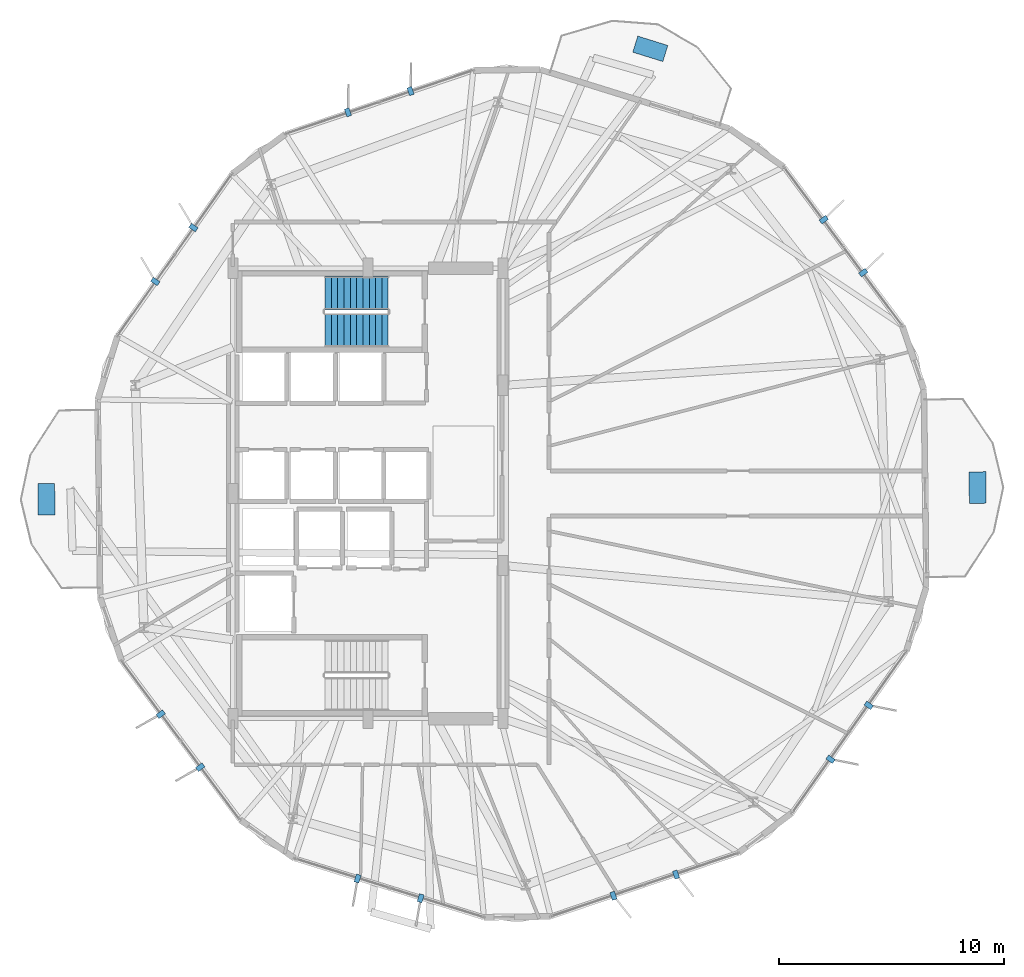
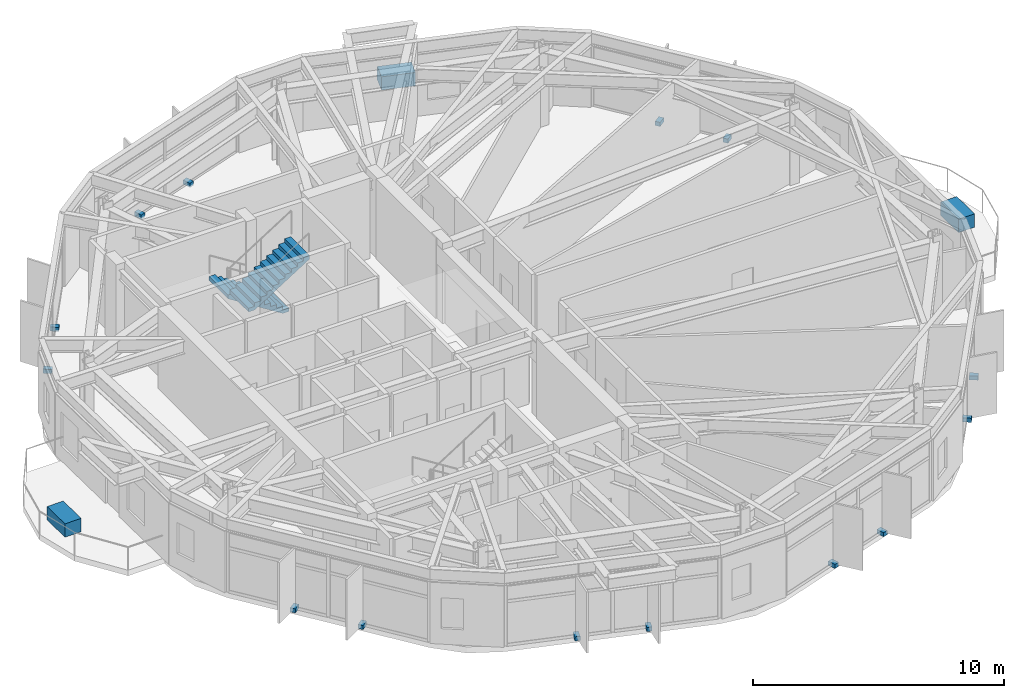
# One storey, part 22 of 25: 17 discrete accessories, 2 stair flights, 1 element without a shape of its own.
"""IFC4 building model written with IfcOpenShell, lengths in metres."""

from ifc_helpers import new_model, si_unit, direction, frame, origin, origin_2d, place, context, subcontext, project, spatial, polyline, rectangle, outline, extrude, material, layer, layer_set, type_object, element, aggregate, save


model = new_model("IFC4")

# Units and contexts
model_context = context("Model", 3, precision=1e-05, world=origin(), true_north=direction((0.0, 1.0)))
body_context = subcontext(model_context, "Body", "Model", "MODEL_VIEW")
ifc_project = project(units=[si_unit("LENGTHUNIT", "METRE"), si_unit("AREAUNIT", "SQUARE_METRE"), si_unit("VOLUMEUNIT", "CUBIC_METRE"), si_unit("PLANEANGLEUNIT", "RADIAN"), si_unit("MASSUNIT", "GRAM", prefix="KILO")], contexts=[model_context])

# Site, building, storey
site_placement = place(None, origin())
site = spatial("IfcSite", under=ifc_project, at=site_placement, CompositionType="ELEMENT")
building_placement = place(site_placement, origin())
building = spatial("IfcBuilding", under=site, at=building_placement, Name="Soratama Intermodal Tower", CompositionType="ELEMENT")
storey_placement = place(building_placement, frame((0.0, 0.0, 106.89990234375)))
storey = spatial("IfcBuildingStorey", under=building, at=storey_placement, Name="L25", CompositionType="ELEMENT", Elevation=106.89990234375)

# Stair, stair flights
ifc_material_1 = material(Name="Concrete f'c 42 MPa", Category="concrete")
stair_type = type_object("IfcStairType", Name="ST-CORE-DOGLEG", PredefinedType="HALF_TURN_STAIR", material=ifc_material_1)
stair_placement = place(storey_placement, origin())
stair = element("IfcStair", 1, at=stair_placement, inside=storey, type_object=stair_type, Name="L25 ST-2", PredefinedType="HALF_TURN_STAIR")
ifc_material_2 = material(Name="Precast concrete f'c 40 MPa", Category="concrete")
ifc_layer = layer(ifc_material_2, 0.199951171875)
ifc_layer_set = layer_set([ifc_layer], Name="Precast concrete f'c 40 MPa")
stair_flight_type = type_object("IfcStairFlightType", Name="SF-FLIGHT-RC", PredefinedType="STRAIGHT", material=ifc_layer_set)
stair_flight_1_placement = place(storey_placement, frame((39.5, 33.89990234375, 0.0), z_axis=(0.0, 0.0, 1.0), x_axis=(-1.0, 0.0, 0.0)))
stair_flight_1 = element("IfcStairFlight", 2, at=stair_flight_1_placement, type_object=stair_flight_type, Name="ST-2 flight 1", NumberOfRisers=11, NumberOfTreads=10, PredefinedType="STRAIGHT", RiserHeight=0.177272727, TreadLength=0.28, context=body_context, shape_type="SweptSolid", body=[
    extrude(outline(polyline([(0.0, 0.0), (0.0, 0.17724609375), (0.280029296875, 0.17724609375), (0.280029296875, 0.3544921875), (0.56005859375, 0.3544921875), (0.56005859375, 0.53173828125), (0.840087890625, 0.53173828125), (0.840087890625, 0.708984375), (1.1201171875, 0.708984375), (1.1201171875, 0.886474609375), (1.39990234375, 0.886474609375), (1.39990234375, 1.063720703125), (1.679931640625, 1.063720703125), (1.679931640625, 1.240966796875), (1.9599609375, 1.240966796875), (1.9599609375, 1.418212890625), (2.239990234375, 1.418212890625), (2.239990234375, 1.595458984375), (2.52001953125, 1.595458984375), (2.52001953125, 1.772705078125), (2.800048828125, 1.772705078125), (2.800048828125, 1.949951171875), (2.800048828125, 1.59521484375), (0.2802734375, 0.0), (0.0, 0.0)])), frame((0.0, 0.75, 0.0), z_axis=(0.0, -1.0, 0.0), x_axis=(1.0, 0.0, 0.0)), (0.0, 0.0, 1.0), 1.5),
])
stair_flight_2_placement = place(storey_placement, frame((36.699951171875, 32.25, 1.9501953125), z_axis=(0.0, 0.0, 1.0), x_axis=(1.0, 0.0, 0.0)))
stair_flight_2 = element("IfcStairFlight", 3, at=stair_flight_2_placement, type_object=stair_flight_type, Name="ST-2 flight 2", NumberOfRisers=11, NumberOfTreads=10, PredefinedType="STRAIGHT", RiserHeight=0.177272727, TreadLength=0.28, context=body_context, shape_type="SweptSolid", body=[
    extrude(outline(polyline([(0.0, 0.0), (0.0, 0.17724609375), (0.280029296875, 0.17724609375), (0.280029296875, 0.3544921875), (0.56005859375, 0.3544921875), (0.56005859375, 0.53173828125), (0.840087890625, 0.53173828125), (0.840087890625, 0.708984375), (1.1201171875, 0.708984375), (1.1201171875, 0.886474609375), (1.39990234375, 0.886474609375), (1.39990234375, 1.063720703125), (1.679931640625, 1.063720703125), (1.679931640625, 1.240966796875), (1.9599609375, 1.240966796875), (1.9599609375, 1.418212890625), (2.239990234375, 1.418212890625), (2.239990234375, 1.595458984375), (2.52001953125, 1.595458984375), (2.52001953125, 1.772705078125), (2.800048828125, 1.772705078125), (2.800048828125, 1.949951171875), (2.800048828125, 1.59521484375), (0.2802734375, 0.0), (0.0, 0.0)])), frame((0.0, 0.75, 0.0), z_axis=(0.0, -1.0, 0.0), x_axis=(1.0, 0.0, 0.0)), (0.0, 0.0, 1.0), 1.5),
])
aggregate(stair, [stair_flight_1, stair_flight_2])

# Discrete accessories
ifc_material_3 = material(Name="Structural steel ASTM A992 Grade 50", Category="steel")
discrete_accessory_type_1 = type_object("IfcDiscreteAccessoryType", Name="AC-FIN-BRACKET", PredefinedType="BRACKET", material=ifc_material_3)
for number, where, z_axis, x_axis, name in (
    (4, (60.60400390625, 34.80810546875, -0.080078125), (0.0, 0.0, 1.0), (0.801566984871, 0.597904983058, 0.0), "L25 Fin Bracket F01-1"),
    (5, (58.8486328125, 37.1611328125, -0.080078125), (0.0, 0.0, 1.0), (0.801566984871, 0.597904983058, 0.0), "L25 Fin Bracket F01-2"),
    (6, (40.493896484375, 42.87109375, -0.080078125), (0.0, 0.0, 1.0), (-0.320943609807, 0.947098304995, 0.0), "L25 Fin Bracket F03-1"),
    (7, (37.713623046875, 41.928955078125, -0.080078125), (0.0, 0.0, 1.0), (-0.320943609807, 0.947098304995, 0.0), "L25 Fin Bracket F03-2"),
    (8, (30.85009765625, 36.809326171875, -0.080078125), (0.0, 0.0, 1.0), (-0.816339250717, 0.577572703422, 0.0), "L25 Fin Bracket F04-1"),
    (9, (29.154541015625, 34.412841796875, -0.080078125), (0.0, 0.0, 1.0), (-0.816339250717, 0.577572703422, 0.0), "L25 Fin Bracket F04-2"),
    (10, (29.39599609375, 15.19189453125, -0.080078125), (0.0, 0.0, 1.0), (-0.801566984871, -0.597904983058, 0.0), "L25 Fin Bracket F06-1"),
    (11, (31.1513671875, 12.8388671875, -0.080078125), (0.0, 0.0, 1.0), (-0.801566984871, -0.597904983058, 0.0), "L25 Fin Bracket F06-2"),
    (12, (38.141357421875, 7.893310546875, -0.080078125), (0.0, 0.0, 1.0), (-0.297041581577, -0.954864544747, 0.0), "L25 Fin Bracket F07-1"),
    (13, (40.9443359375, 7.021484375, -0.080078125), (0.0, 0.0, 1.0), (-0.297041581577, -0.954864544747, 0.0), "L25 Fin Bracket F07-2"),
    (14, (49.506103515625, 7.12890625, -0.080078125), (0.0, 0.0, 1.0), (0.320943609807, -0.947098304995, 0.0), "L25 Fin Bracket F08-1"),
    (15, (52.286376953125, 8.071044921875, -0.080078125), (0.0, 0.0, 1.0), (0.320943609807, -0.947098304995, 0.0), "L25 Fin Bracket F08-2"),
    (16, (59.14990234375, 13.190673828125, -0.080078125), (0.0, 0.0, 1.0), (0.816339250717, -0.577572703422, 0.0), "L25 Fin Bracket F09-1"),
    (17, (60.845458984375, 15.587158203125, -0.080078125), (0.0, 0.0, 1.0), (0.816339250717, -0.577572703422, 0.0), "L25 Fin Bracket F09-2"),
):
    element("IfcDiscreteAccessory", number, at=place(storey_placement, frame(where, z_axis=z_axis, x_axis=x_axis)), inside=storey, type_object=discrete_accessory_type_1, Name=name, PredefinedType="BRACKET", context=body_context, shape_type="SweptSolid", body=[
        extrude(rectangle(XDim=0.360107421875, YDim=0.219970703125, at=origin_2d()), origin(), (0.0, 0.0, 1.0), 0.199951171875),
    ])
ifc_material_4 = material(Name="Precast concrete f'c 40 MPa", Category="concrete")
discrete_accessory_type_2 = type_object("IfcDiscreteAccessoryType", Name="AC-PLANTER-TREE", PredefinedType="USERDEFINED", material=ifc_material_4)
for number, where, z_axis, x_axis, name in (
    (18, (65.680419921875, 25.260009765625, 0.000244140625), (0.0, 0.0, 1.0), (0.999921044204, 0.012566039883, 0.0), "L25 Tree Planter 1"),
    (19, (51.143310546875, 44.748291015625, 0.000244140625), (0.0, 0.0, 1.0), (0.297041581577, 0.954864544747, 0.0), "L25 Tree Planter 2"),
    (20, (24.319580078125, 24.739990234375, 0.000244140625), (0.0, 0.0, 1.0), (-0.999921044204, -0.012566039883, 0.0), "L25 Tree Planter 3"),
):
    element("IfcDiscreteAccessory", number, at=place(storey_placement, frame(where, z_axis=z_axis, x_axis=x_axis)), inside=storey, type_object=discrete_accessory_type_2, Name=name, ObjectType="PLANTER", PredefinedType="USERDEFINED", context=body_context, shape_type="SweptSolid", body=[
        extrude(rectangle(XDim=0.75, YDim=1.39990234375, at=origin_2d()), origin(), (0.0, 0.0, 1.0), 0.64990234375),
    ])

save(model, "model.ifc")
